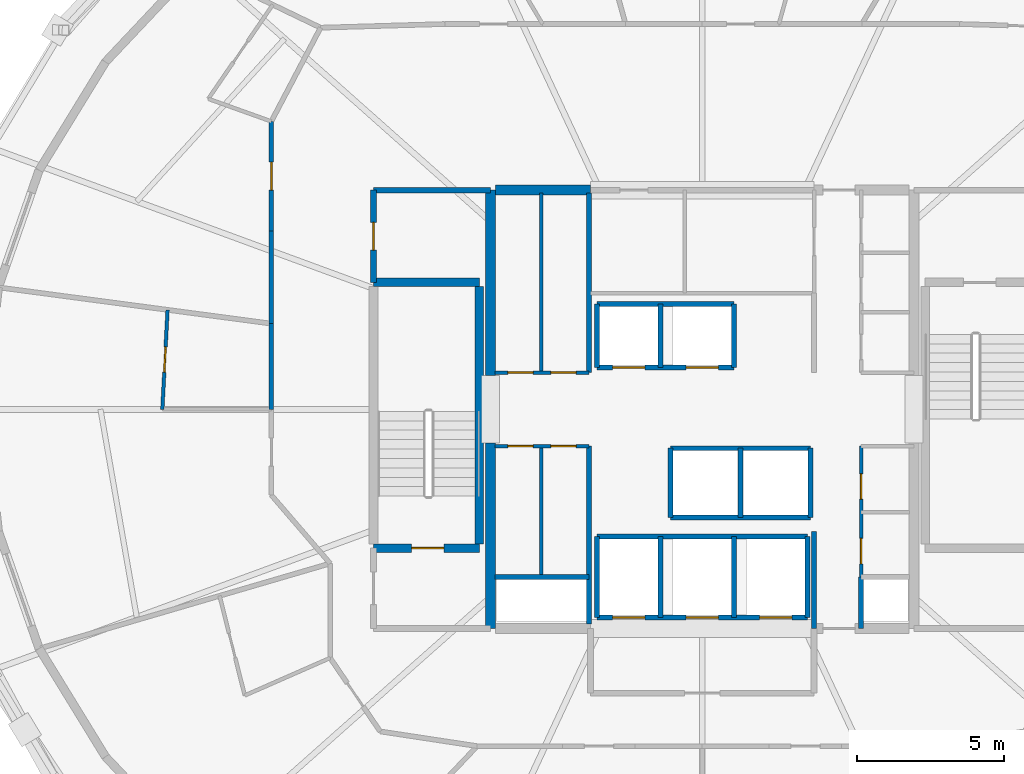
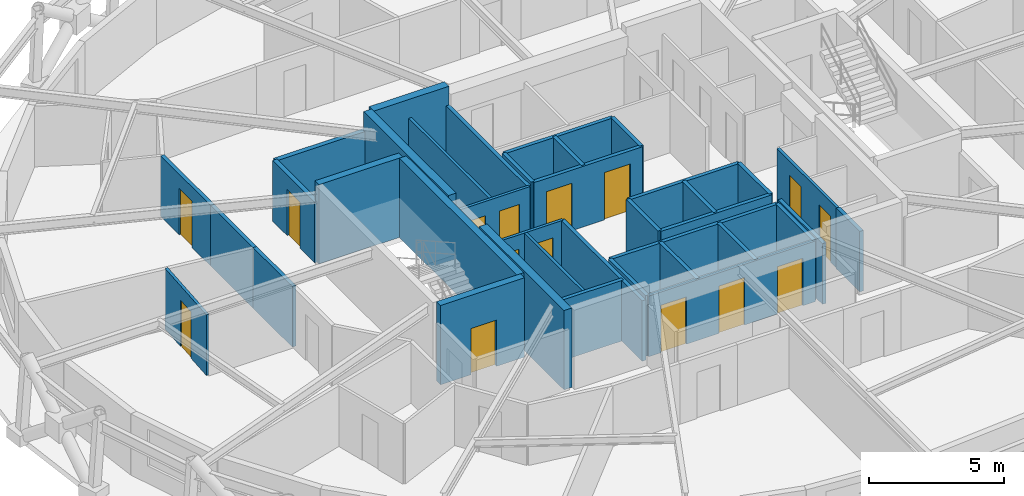
# One storey, part 10 of 14: 38 walls, 15 doors, 15 openings.
"""IFC4 building model written with IfcOpenShell, lengths in metres."""

from ifc_helpers import new_model, si_unit, direction, frame, frame_2d, origin, place, context, subcontext, project, spatial, rectangle, extrude, material, layer, layer_set, type_object, element, fill, save


model = new_model("IFC4")

# Units and contexts
model_context = context("Model", 3, precision=1e-05, world=origin(), true_north=direction((0.0, 1.0)))
body_context = subcontext(model_context, "Body", "Model", "MODEL_VIEW")
ifc_project = project(units=[si_unit("LENGTHUNIT", "METRE"), si_unit("AREAUNIT", "SQUARE_METRE"), si_unit("VOLUMEUNIT", "CUBIC_METRE"), si_unit("PLANEANGLEUNIT", "RADIAN"), si_unit("MASSUNIT", "GRAM", prefix="KILO")], contexts=[model_context])

# Site, building, storey
site_placement = place(None, origin())
site = spatial("IfcSite", under=ifc_project, at=site_placement, CompositionType="ELEMENT")
building_placement = place(site_placement, origin())
building = spatial("IfcBuilding", under=site, at=building_placement, Name="Veldorina Hangang Commons", CompositionType="ELEMENT")
storey_placement = place(building_placement, frame((0.0, 0.0, 200.0)))
storey = spatial("IfcBuildingStorey", under=building, at=storey_placement, Name="L52", CompositionType="ELEMENT", Elevation=200.0)

# Walls
ifc_material_1 = material(Name="Concrete C60/75", Category="concrete")
ifc_layer_1 = layer(ifc_material_1, 0.340087890625)
ifc_layer_set_1 = layer_set([ifc_layer_1], Name="Concrete C60/75")
wall_type_1 = type_object("IfcWallType", Name="CW-RC340-C60", PredefinedType="SHEAR", material=ifc_layer_set_1)
for number, where, z_axis, x_axis, name in (
    (1, (24.800048828125, 16.550048828125, 0.0), (0.0, 0.0, 1.0), (0.0, 1.0, 0.0), "L52 W south core shear wall"),
    (2, (24.800048828125, 25.14990234375, 0.0), (0.0, 0.0, 1.0), (0.0, 1.0, 0.0), "L52 W north core shear wall"),
):
    element("IfcWall", number, at=place(storey_placement, frame(where, z_axis=z_axis, x_axis=x_axis)), inside=storey, type_object=wall_type_1, Name=name, PredefinedType="SHEAR", context=body_context, shape_type="SweptSolid", body=[
        extrude(rectangle(XDim=6.300048828125, YDim=0.340087890625, at=frame_2d((3.14990234375, 0.0))), origin(), (0.0, 0.0, 1.0), 3.60009765625),
    ])
wall_1_placement = place(storey_placement, frame((24.969970703125, 31.449951171875, 0.0), z_axis=(0.0, 0.0, 1.0), x_axis=(1.0, 0.0, 0.0)))
element("IfcWall", 3, at=wall_1_placement, inside=storey, type_object=wall_type_1, Name="L52 north-west core shear wall", PredefinedType="SHEAR", context=body_context, shape_type="SweptSolid", body=[
    extrude(rectangle(XDim=3.22998046875, YDim=0.340087890625, at=frame_2d((1.614990234375, 0.0))), origin(), (0.0, 0.0, 1.0), 3.60009765625),
])
ifc_material_2 = material(Name="Concrete C50/60", Category="concrete")
ifc_layer_2 = layer(ifc_material_2, 0.300048828125)
ifc_layer_set_2 = layer_set([ifc_layer_2], Name="Concrete C50/60")
wall_type_2 = type_object("IfcWallType", Name="SW-STAIR-300", PredefinedType="SHEAR", material=ifc_layer_set_2)
wall_2_placement = place(storey_placement, frame((24.419921875, 19.429931640625, 0.0), z_axis=(0.0, 0.0, 1.0), x_axis=(0.0, 1.0, 0.0)))
element("IfcWall", 4, at=wall_2_placement, inside=storey, type_object=wall_type_2, Name="L52 ST1 inner stair shear wall", PredefinedType="SHEAR", context=body_context, shape_type="SweptSolid", body=[
    extrude(rectangle(XDim=8.739990234375, YDim=0.300048828125, at=frame_2d((4.3701171875, 0.0))), origin(), (0.0, 0.0, 1.0), 3.60009765625),
])

# Wall, opening, door
wall_3_placement = place(storey_placement, frame((20.820068359375, 19.280029296875, 0.0), z_axis=(0.0, 0.0, 1.0), x_axis=(1.0, 0.0, 0.0)))
wall_3 = element("IfcWall", 5, at=wall_3_placement, inside=storey, type_object=wall_type_2, Name="L52 ST1 south stair shear wall", PredefinedType="SHEAR", context=body_context, shape_type="SweptSolid", body=[
    extrude(rectangle(XDim=3.599853515625, YDim=0.300048828125, at=frame_2d((1.7998046875, 0.0))), origin(), (0.0, 0.0, 1.0), 3.60009765625),
])
opening_1_placement = place(wall_3_placement, frame((1.300048828125, 0.0, 0.0)))
opening_1 = element("IfcOpeningElement", 6, at=opening_1_placement, cuts=wall_3, Name="Opening D-08", PredefinedType="OPENING", context=body_context, shape_type="SweptSolid", body=[
    extrude(rectangle(XDim=1.10009765625, YDim=2.10009765625, at=frame_2d((0.550048828125, 1.050048828125))), frame((0.0, 0.16015625, 0.0), z_axis=(0.0, -1.0, 0.0), x_axis=(1.0, 0.0, 0.0)), (0.0, 0.0, 1.0), 0.320068359375),
])
ifc_material_3 = material(Name="Steel Fire-Rated Smoke Seal", Category="steel")
door_type_1 = type_object("IfcDoorType", Name="DR-FIRE-1100", OperationType="SINGLE_SWING_RIGHT", PredefinedType="DOOR", material=ifc_material_3)
door_1_placement = place(opening_1_placement, origin())
door_1 = element("IfcDoor", 7, at=door_1_placement, inside=storey, type_object=door_type_1, Name="L52 Special Escape Stair ST-1 door", OperationType="SINGLE_SWING_LEFT", OverallHeight=2.10009765625, OverallWidth=1.10009765625, PredefinedType="DOOR", context=body_context, shape_type="SweptSolid", body=[
    extrude(rectangle(XDim=1.10009765625, YDim=2.10009765625, at=frame_2d((0.550048828125, 1.050048828125))), frame((0.0, 0.02490234375, 0.0), z_axis=(0.0, -1.0, 0.0), x_axis=(1.0, 0.0, 0.0)), (0.0, 0.0, 1.0), 0.050048828125),
])
fill(opening_1, door_1)

# Walls
wall_4_placement = place(storey_placement, frame((20.820068359375, 28.320068359375, 0.0), z_axis=(0.0, 0.0, 1.0), x_axis=(1.0, 0.0, 0.0)))
element("IfcWall", 8, at=wall_4_placement, inside=storey, type_object=wall_type_2, Name="L52 ST1 north stair shear wall", PredefinedType="SHEAR", context=body_context, shape_type="SweptSolid", body=[
    extrude(rectangle(XDim=3.599853515625, YDim=0.300048828125, at=frame_2d((1.7998046875, 0.0))), origin(), (0.0, 0.0, 1.0), 3.60009765625),
])
ifc_material_4 = material(Name="Gypsum Fire-Rated Twin Stud Wall", Category="gypsum")
ifc_layer_3 = layer(ifc_material_4, 0.159912109375)
ifc_layer_set_3 = layer_set([ifc_layer_3], Name="Gypsum Fire-Rated Twin Stud Wall")
wall_type_3 = type_object("IfcWallType", Name="WL-FIRE-160", PredefinedType="SOLIDWALL", material=ifc_layer_set_3)
wall_5_placement = place(storey_placement, frame((35.800048828125, 16.550048828125, 0.0), z_axis=(0.0, 0.0, 1.0), x_axis=(0.0, 1.0, 0.0)))
element("IfcWall", 9, at=wall_5_placement, inside=storey, type_object=wall_type_3, Name="L52 Lift passage SW wall 009", PredefinedType="SOLIDWALL", context=body_context, shape_type="SweptSolid", body=[
    extrude(rectangle(XDim=3.300048828125, YDim=0.159912109375, at=frame_2d((1.64990234375, 0.0))), origin(), (0.0, 0.0, 1.0), 2.75),
])
wall_6_placement = place(storey_placement, frame((37.39990234375, 16.550048828125, 0.0), z_axis=(0.0, 0.0, 1.0), x_axis=(0.0, 1.0, 0.0)))
element("IfcWall", 10, at=wall_6_placement, inside=storey, type_object=wall_type_3, Name="L52 Lift passage SE stub 010", PredefinedType="SOLIDWALL", context=body_context, shape_type="SweptSolid", body=[
    extrude(rectangle(XDim=1.75, YDim=0.159912109375, at=frame_2d((0.875, 0.0))), origin(), (0.0, 0.0, 1.0), 2.75),
])

# Wall, openings, doors
wall_7_placement = place(storey_placement, frame((28.419921875, 25.419921875, 0.0), z_axis=(0.0, 0.0, 1.0), x_axis=(1.0, 0.0, 0.0)))
wall_7 = element("IfcWall", 11, at=wall_7_placement, inside=storey, type_object=wall_type_3, Name="L52 Mid-high front shaft wall 015", PredefinedType="SOLIDWALL", context=body_context, shape_type="SweptSolid", body=[
    extrude(rectangle(XDim=4.66015625, YDim=0.159912109375, at=frame_2d((2.330078125, 0.0))), origin(), (0.0, 0.0, 1.0), 2.75),
])
opening_2_placement = place(wall_7_placement, frame((0.530029296875, 0.0, 0.0)))
opening_2 = element("IfcOpeningElement", 12, at=opening_2_placement, cuts=wall_7, Name="Opening LD-01", PredefinedType="OPENING", context=body_context, shape_type="SweptSolid", body=[
    extrude(rectangle(XDim=1.10009765625, YDim=2.14990234375, at=frame_2d((0.550048828125, 1.074951171875))), frame((0.0, 0.08984375, 0.0), z_axis=(0.0, -1.0, 0.0), x_axis=(1.0, 0.0, 0.0)), (0.0, 0.0, 1.0), 0.179931640625),
])
opening_3_placement = place(wall_7_placement, frame((3.030029296875, 0.0, 0.0)))
opening_3 = element("IfcOpeningElement", 13, at=opening_3_placement, cuts=wall_7, Name="Opening LD-01", PredefinedType="OPENING", context=body_context, shape_type="SweptSolid", body=[
    extrude(rectangle(XDim=1.10009765625, YDim=2.14990234375, at=frame_2d((0.550048828125, 1.074951171875))), frame((0.0, 0.08984375, 0.0), z_axis=(0.0, -1.0, 0.0), x_axis=(1.0, 0.0, 0.0)), (0.0, 0.0, 1.0), 0.179931640625),
])
ifc_material_5 = material(Name="Stainless Steel Brushed Lift Door", Category="steel")
door_type_2 = type_object("IfcDoorType", Name="DR-LIFT-1100", OperationType="SLIDING_TO_LEFT", PredefinedType="DOOR", material=ifc_material_5)
door_2_placement = place(opening_2_placement, origin())
door_2 = element("IfcDoor", 14, at=door_2_placement, inside=storey, type_object=door_type_2, Name="L52 Lift PL-M1 landing door 006", OperationType="SLIDING_TO_RIGHT", OverallHeight=2.14990234375, OverallWidth=1.10009765625, PredefinedType="DOOR", context=body_context, shape_type="SweptSolid", body=[
    extrude(rectangle(XDim=1.10009765625, YDim=2.14990234375, at=frame_2d((0.550048828125, 1.074951171875))), frame((0.0, 0.02490234375, 0.0), z_axis=(0.0, -1.0, 0.0), x_axis=(1.0, 0.0, 0.0)), (0.0, 0.0, 1.0), 0.050048828125),
])
fill(opening_2, door_2)
door_3_placement = place(opening_3_placement, origin())
door_3 = element("IfcDoor", 15, at=door_3_placement, inside=storey, type_object=door_type_2, Name="L52 Lift PL-M2 landing door 007", OperationType="SLIDING_TO_RIGHT", OverallHeight=2.14990234375, OverallWidth=1.10009765625, PredefinedType="DOOR", context=body_context, shape_type="SweptSolid", body=[
    extrude(rectangle(XDim=1.10009765625, YDim=2.14990234375, at=frame_2d((0.550048828125, 1.074951171875))), frame((0.0, 0.02490234375, 0.0), z_axis=(0.0, -1.0, 0.0), x_axis=(1.0, 0.0, 0.0)), (0.0, 0.0, 1.0), 0.050048828125),
])
fill(opening_3, door_3)

# Walls
wall_8_placement = place(storey_placement, frame((28.419921875, 27.580078125, 0.0), z_axis=(0.0, 0.0, 1.0), x_axis=(1.0, 0.0, 0.0)))
element("IfcWall", 16, at=wall_8_placement, inside=storey, type_object=wall_type_3, Name="L52 Mid-high rear shaft wall 016", PredefinedType="SOLIDWALL", context=body_context, shape_type="SweptSolid", body=[
    extrude(rectangle(XDim=4.66015625, YDim=0.159912109375, at=frame_2d((2.330078125, 0.0))), origin(), (0.0, 0.0, 1.0), 2.75),
])
for number, where, z_axis, x_axis, name in (
    (17, (28.419921875, 25.419921875, 0.0), (0.0, 0.0, 1.0), (0.0, 1.0, 0.0), "L52 PL-M1 west shaft wall 017"),
    (18, (30.580078125, 25.419921875, 0.0), (0.0, 0.0, 1.0), (0.0, 1.0, 0.0), "L52 PL-M1 east shaft wall 018"),
    (19, (33.080078125, 25.419921875, 0.0), (0.0, 0.0, 1.0), (0.0, 1.0, 0.0), "L52 PL-M2 east shaft wall 019"),
):
    element("IfcWall", number, at=place(storey_placement, frame(where, z_axis=z_axis, x_axis=x_axis)), inside=storey, type_object=wall_type_3, Name=name, PredefinedType="SOLIDWALL", context=body_context, shape_type="SweptSolid", body=[
        extrude(rectangle(XDim=2.16015625, YDim=0.159912109375, at=frame_2d((1.080078125, 0.0))), origin(), (0.0, 0.0, 1.0), 2.75),
    ])
for number, where, z_axis, x_axis, name in (
    (20, (30.919921875, 22.679931640625, 0.0), (0.0, 0.0, 1.0), (1.0, 0.0, 0.0), "L52 Shuttle-high front shaft wall 020"),
    (21, (30.919921875, 20.320068359375, 0.0), (0.0, 0.0, 1.0), (1.0, 0.0, 0.0), "L52 Shuttle-high rear shaft wall 021"),
):
    element("IfcWall", number, at=place(storey_placement, frame(where, z_axis=z_axis, x_axis=x_axis)), inside=storey, type_object=wall_type_3, Name=name, PredefinedType="SOLIDWALL", context=body_context, shape_type="SweptSolid", body=[
        extrude(rectangle(XDim=4.760009765625, YDim=0.159912109375, at=frame_2d((2.3798828125, 0.0))), origin(), (0.0, 0.0, 1.0), 2.75),
    ])
for number, where, z_axis, x_axis, name in (
    (22, (30.919921875, 20.320068359375, 0.0), (0.0, 0.0, 1.0), (0.0, 1.0, 0.0), "L52 SL-1 west shaft wall 022"),
    (23, (33.300048828125, 20.320068359375, 0.0), (0.0, 0.0, 1.0), (0.0, 1.0, 0.0), "L52 SL-1 east shaft wall 023"),
    (24, (35.679931640625, 20.320068359375, 0.0), (0.0, 0.0, 1.0), (0.0, 1.0, 0.0), "L52 SL-2 east shaft wall 024"),
):
    element("IfcWall", number, at=place(storey_placement, frame(where, z_axis=z_axis, x_axis=x_axis)), inside=storey, type_object=wall_type_3, Name=name, PredefinedType="SOLIDWALL", context=body_context, shape_type="SweptSolid", body=[
        extrude(rectangle(XDim=2.35986328125, YDim=0.159912109375, at=frame_2d((1.179931640625, 0.0))), origin(), (0.0, 0.0, 1.0), 2.75),
    ])

# Wall, openings, doors
wall_9_placement = place(storey_placement, frame((28.419921875, 16.919921875, 0.0), z_axis=(0.0, 0.0, 1.0), x_axis=(1.0, 0.0, 0.0)))
wall_9 = element("IfcWall", 25, at=wall_9_placement, inside=storey, type_object=wall_type_3, Name="L52 Emergency front shaft wall 025", PredefinedType="SOLIDWALL", context=body_context, shape_type="SweptSolid", body=[
    extrude(rectangle(XDim=7.16015625, YDim=0.159912109375, at=frame_2d((3.580078125, 0.0))), origin(), (0.0, 0.0, 1.0), 2.75),
])
opening_4_placement = place(wall_9_placement, frame((0.530029296875, 0.0, 0.0)))
opening_4 = element("IfcOpeningElement", 26, at=opening_4_placement, cuts=wall_9, Name="Opening LD-03", PredefinedType="OPENING", context=body_context, shape_type="SweptSolid", body=[
    extrude(rectangle(XDim=1.10009765625, YDim=2.14990234375, at=frame_2d((0.550048828125, 1.074951171875))), frame((0.0, 0.08984375, 0.0), z_axis=(0.0, -1.0, 0.0), x_axis=(1.0, 0.0, 0.0)), (0.0, 0.0, 1.0), 0.179931640625),
])
opening_5_placement = place(wall_9_placement, frame((3.030029296875, 0.0, 0.0)))
opening_5 = element("IfcOpeningElement", 27, at=opening_5_placement, cuts=wall_9, Name="Opening LD-03", PredefinedType="OPENING", context=body_context, shape_type="SweptSolid", body=[
    extrude(rectangle(XDim=1.10009765625, YDim=2.14990234375, at=frame_2d((0.550048828125, 1.074951171875))), frame((0.0, 0.08984375, 0.0), z_axis=(0.0, -1.0, 0.0), x_axis=(1.0, 0.0, 0.0)), (0.0, 0.0, 1.0), 0.179931640625),
])
opening_6_placement = place(wall_9_placement, frame((5.530029296875, 0.0, 0.0)))
opening_6 = element("IfcOpeningElement", 28, at=opening_6_placement, cuts=wall_9, Name="Opening LD-03", PredefinedType="OPENING", context=body_context, shape_type="SweptSolid", body=[
    extrude(rectangle(XDim=1.10009765625, YDim=2.14990234375, at=frame_2d((0.550048828125, 1.074951171875))), frame((0.0, 0.08984375, 0.0), z_axis=(0.0, -1.0, 0.0), x_axis=(1.0, 0.0, 0.0)), (0.0, 0.0, 1.0), 0.179931640625),
])
ifc_material_6 = material(Name="Stainless Steel Firefighting Lift Door", Category="steel")
door_type_3 = type_object("IfcDoorType", Name="DR-LIFT-FF1100", OperationType="SLIDING_TO_RIGHT", PredefinedType="DOOR", material=ifc_material_6)
door_4_placement = place(opening_4_placement, origin())
door_4 = element("IfcDoor", 29, at=door_4_placement, inside=storey, type_object=door_type_3, Name="L52 Emergency lift FFL-1 landing door 008", OperationType="SLIDING_TO_RIGHT", OverallHeight=2.14990234375, OverallWidth=1.10009765625, PredefinedType="DOOR", context=body_context, shape_type="SweptSolid", body=[
    extrude(rectangle(XDim=1.10009765625, YDim=2.14990234375, at=frame_2d((0.550048828125, 1.074951171875))), frame((0.0, 0.02490234375, 0.0), z_axis=(0.0, -1.0, 0.0), x_axis=(1.0, 0.0, 0.0)), (0.0, 0.0, 1.0), 0.050048828125),
])
fill(opening_4, door_4)
door_5_placement = place(opening_5_placement, origin())
door_5 = element("IfcDoor", 30, at=door_5_placement, inside=storey, type_object=door_type_3, Name="L52 Emergency lift FFL-2 landing door 009", OperationType="SLIDING_TO_RIGHT", OverallHeight=2.14990234375, OverallWidth=1.10009765625, PredefinedType="DOOR", context=body_context, shape_type="SweptSolid", body=[
    extrude(rectangle(XDim=1.10009765625, YDim=2.14990234375, at=frame_2d((0.550048828125, 1.074951171875))), frame((0.0, 0.02490234375, 0.0), z_axis=(0.0, -1.0, 0.0), x_axis=(1.0, 0.0, 0.0)), (0.0, 0.0, 1.0), 0.050048828125),
])
fill(opening_5, door_5)
door_6_placement = place(opening_6_placement, origin())
door_6 = element("IfcDoor", 31, at=door_6_placement, inside=storey, type_object=door_type_3, Name="L52 Emergency lift EVL-1 landing door 010", OperationType="SLIDING_TO_RIGHT", OverallHeight=2.14990234375, OverallWidth=1.10009765625, PredefinedType="DOOR", context=body_context, shape_type="SweptSolid", body=[
    extrude(rectangle(XDim=1.10009765625, YDim=2.14990234375, at=frame_2d((0.550048828125, 1.074951171875))), frame((0.0, 0.02490234375, 0.0), z_axis=(0.0, -1.0, 0.0), x_axis=(1.0, 0.0, 0.0)), (0.0, 0.0, 1.0), 0.050048828125),
])
fill(opening_6, door_6)

# Walls
wall_10_placement = place(storey_placement, frame((28.419921875, 19.679931640625, 0.0), z_axis=(0.0, 0.0, 1.0), x_axis=(1.0, 0.0, 0.0)))
element("IfcWall", 32, at=wall_10_placement, inside=storey, type_object=wall_type_3, Name="L52 Emergency rear shaft wall 026", PredefinedType="SOLIDWALL", context=body_context, shape_type="SweptSolid", body=[
    extrude(rectangle(XDim=7.16015625, YDim=0.159912109375, at=frame_2d((3.580078125, 0.0))), origin(), (0.0, 0.0, 1.0), 2.75),
])
for number, where, z_axis, x_axis, name in (
    (33, (28.419921875, 16.919921875, 0.0), (0.0, 0.0, 1.0), (0.0, 1.0, 0.0), "L52 FFL-1 west shaft wall 027"),
    (34, (30.580078125, 16.919921875, 0.0), (0.0, 0.0, 1.0), (0.0, 1.0, 0.0), "L52 FFL-1 east shaft wall 028"),
    (35, (33.080078125, 16.919921875, 0.0), (0.0, 0.0, 1.0), (0.0, 1.0, 0.0), "L52 FFL-2 east shaft wall 029"),
    (36, (35.580078125, 16.919921875, 0.0), (0.0, 0.0, 1.0), (0.0, 1.0, 0.0), "L52 EVL-1 east shaft wall 030"),
):
    element("IfcWall", number, at=place(storey_placement, frame(where, z_axis=z_axis, x_axis=x_axis)), inside=storey, type_object=wall_type_3, Name=name, PredefinedType="SOLIDWALL", context=body_context, shape_type="SweptSolid", body=[
        extrude(rectangle(XDim=2.760009765625, YDim=0.159912109375, at=frame_2d((1.3798828125, 0.0))), origin(), (0.0, 0.0, 1.0), 2.75),
    ])
wall_11_placement = place(storey_placement, frame((24.949951171875, 18.300048828125, 0.0), z_axis=(0.0, 0.0, 1.0), x_axis=(1.0, 0.0, 0.0)))
element("IfcWall", 37, at=wall_11_placement, inside=storey, type_object=wall_type_3, Name="L52 Electrical riser wall 035", PredefinedType="SOLIDWALL", context=body_context, shape_type="SweptSolid", body=[
    extrude(rectangle(XDim=3.199951171875, YDim=0.159912109375, at=frame_2d((1.60009765625, 0.0))), origin(), (0.0, 0.0, 1.0), 2.75),
])
wall_12_placement = place(storey_placement, frame((28.14990234375, 16.699951171875, 0.0), z_axis=(0.0, 0.0, 1.0), x_axis=(0.0, 1.0, 0.0)))
element("IfcWall", 38, at=wall_12_placement, inside=storey, type_object=wall_type_3, Name="L52 SW core inner wall 036", PredefinedType="SOLIDWALL", context=body_context, shape_type="SweptSolid", body=[
    extrude(rectangle(XDim=6.050048828125, YDim=0.159912109375, at=frame_2d((3.02490234375, 0.0))), origin(), (0.0, 0.0, 1.0), 2.75),
])
wall_13_placement = place(storey_placement, frame((28.14990234375, 25.25, 0.0), z_axis=(0.0, 0.0, 1.0), x_axis=(0.0, 1.0, 0.0)))
element("IfcWall", 39, at=wall_13_placement, inside=storey, type_object=wall_type_3, Name="L52 NW core inner wall 038", PredefinedType="SOLIDWALL", context=body_context, shape_type="SweptSolid", body=[
    extrude(rectangle(XDim=6.10009765625, YDim=0.159912109375, at=frame_2d((3.050048828125, 0.0))), origin(), (0.0, 0.0, 1.0), 2.75),
])

# Wall, opening, door
wall_14_placement = place(storey_placement, frame((17.35009765625, 33.788818359375, 0.0), z_axis=(0.0, 0.0, 1.0), x_axis=(0.0, -1.0, 0.0)))
wall_14 = element("IfcWall", 40, at=wall_14_placement, inside=storey, type_object=wall_type_3, Name="L52 U-corridor outer wall 13 063", PredefinedType="SOLIDWALL", context=body_context, shape_type="SweptSolid", body=[
    extrude(rectangle(XDim=3.720703125, YDim=0.159912109375, at=frame_2d((1.8603515625, 0.0))), origin(), (0.0, 0.0, 1.0), 2.75),
])
opening_7_placement = place(wall_14_placement, frame((1.38525390625, 0.0, 0.0)))
opening_7 = element("IfcOpeningElement", 41, at=opening_7_placement, cuts=wall_14, Name="Opening D-03", PredefinedType="OPENING", context=body_context, shape_type="SweptSolid", body=[
    extrude(rectangle(XDim=0.949951171875, YDim=2.10009765625, at=frame_2d((0.47509765625, 1.050048828125))), frame((0.0, 0.08984375, 0.0), z_axis=(0.0, -1.0, 0.0), x_axis=(1.0, 0.0, 0.0)), (0.0, 0.0, 1.0), 0.179931640625),
])
ifc_material_7 = material(Name="Timber Fire-Rated Entrance Core", Category="wood")
door_type_4 = type_object("IfcDoorType", Name="DR-UNIT-950", OperationType="SINGLE_SWING_RIGHT", PredefinedType="DOOR", material=ifc_material_7)
door_7_placement = place(opening_7_placement, origin())
door_7 = element("IfcDoor", 42, at=door_7_placement, inside=storey, type_object=door_type_4, Name="L52 Studio 6 entrance door 033", OperationType="SINGLE_SWING_LEFT", OverallHeight=2.10009765625, OverallWidth=0.949951171875, PredefinedType="DOOR", context=body_context, shape_type="SweptSolid", body=[
    extrude(rectangle(XDim=0.949951171875, YDim=2.10009765625, at=frame_2d((0.47509765625, 1.050048828125))), frame((0.0, 0.02490234375, 0.0), z_axis=(0.0, -1.0, 0.0), x_axis=(1.0, 0.0, 0.0)), (0.0, 0.0, 1.0), 0.050048828125),
])
fill(opening_7, door_7)

# Walls
wall_15_placement = place(storey_placement, frame((17.35009765625, 30.068115234375, 0.0), z_axis=(0.0, 0.0, 1.0), x_axis=(0.0, -1.0, 0.0)))
element("IfcWall", 43, at=wall_15_placement, inside=storey, type_object=wall_type_3, Name="L52 U-corridor outer wall 14 064", PredefinedType="SOLIDWALL", context=body_context, shape_type="SweptSolid", body=[
    extrude(rectangle(XDim=3.154052734375, YDim=0.159912109375, at=frame_2d((1.5771484375, 0.0))), origin(), (0.0, 0.0, 1.0), 2.75),
])
wall_16_placement = place(storey_placement, frame((17.35009765625, 26.9140625, 0.0), z_axis=(0.0, 0.0, 1.0), x_axis=(0.0, -1.0, 0.0)))
element("IfcWall", 44, at=wall_16_placement, inside=storey, type_object=wall_type_3, Name="L52 U-corridor outer wall 15 065", PredefinedType="SOLIDWALL", context=body_context, shape_type="SweptSolid", body=[
    extrude(rectangle(XDim=2.9140625, YDim=0.159912109375, at=frame_2d((1.45703125, 0.0))), origin(), (0.0, 0.0, 1.0), 2.75),
])

# Wall, opening, door
ifc_material_8 = material(Name="Concrete Blockwork Fire Wall C30/37", Category="masonry")
ifc_layer_4 = layer(ifc_material_8, 0.199951171875)
ifc_layer_set_4 = layer_set([ifc_layer_4], Name="Concrete Blockwork Fire Wall C30/37")
wall_type_4 = type_object("IfcWallType", Name="WL-FIRE-200", PredefinedType="SOLIDWALL", material=ifc_layer_set_4)
wall_17_placement = place(storey_placement, frame((20.820068359375, 28.320068359375, 0.0), z_axis=(0.0, 0.0, 1.0), x_axis=(0.0, 1.0, 0.0)))
wall_17 = element("IfcWall", 45, at=wall_17_placement, inside=storey, type_object=wall_type_4, Name="L52 NW core room outer wall 005", PredefinedType="SOLIDWALL", context=body_context, shape_type="SweptSolid", body=[
    extrude(rectangle(XDim=3.1298828125, YDim=0.199951171875, at=frame_2d((1.56494140625, 0.0))), origin(), (0.0, 0.0, 1.0), 2.75),
])
opening_8_placement = place(wall_17_placement, frame((1.090087890625, 0.0, 0.0)))
opening_8 = element("IfcOpeningElement", 46, at=opening_8_placement, cuts=wall_17, Name="Opening D-04", PredefinedType="OPENING", context=body_context, shape_type="SweptSolid", body=[
    extrude(rectangle(XDim=0.949951171875, YDim=2.10009765625, at=frame_2d((0.47509765625, 1.050048828125))), frame((0.0, 0.10986328125, 0.0), z_axis=(0.0, -1.0, 0.0), x_axis=(1.0, 0.0, 0.0)), (0.0, 0.0, 1.0), 0.219970703125),
])
ifc_material_9 = material(Name="Timber Accessible Flush Leaf", Category="wood")
door_type_5 = type_object("IfcDoorType", Name="DR-ACC-950", OperationType="SINGLE_SWING_LEFT", PredefinedType="DOOR", material=ifc_material_9)
door_8_placement = place(opening_8_placement, origin())
door_8 = element("IfcDoor", 47, at=door_8_placement, inside=storey, type_object=door_type_5, Name="L52 NW core WC door 003", OperationType="SINGLE_SWING_LEFT", OverallHeight=2.10009765625, OverallWidth=0.949951171875, PredefinedType="DOOR", context=body_context, shape_type="SweptSolid", body=[
    extrude(rectangle(XDim=0.949951171875, YDim=2.10009765625, at=frame_2d((0.47509765625, 1.050048828125))), frame((0.0, 0.02490234375, 0.0), z_axis=(0.0, -1.0, 0.0), x_axis=(1.0, 0.0, 0.0)), (0.0, 0.0, 1.0), 0.050048828125),
])
fill(opening_8, door_8)

# Wall
wall_18_placement = place(storey_placement, frame((20.820068359375, 31.449951171875, 0.0), z_axis=(0.0, 0.0, 1.0), x_axis=(1.0, 0.0, 0.0)))
element("IfcWall", 48, at=wall_18_placement, inside=storey, type_object=wall_type_4, Name="L52 NW core room north wall 006", PredefinedType="SOLIDWALL", context=body_context, shape_type="SweptSolid", body=[
    extrude(rectangle(XDim=3.97998046875, YDim=0.199951171875, at=frame_2d((1.989990234375, 0.0))), origin(), (0.0, 0.0, 1.0), 2.75),
])

# Wall, openings, doors
ifc_material_10 = material(Name="Gypsum Acoustic Stud Partition", Category="gypsum")
ifc_layer_5 = layer(ifc_material_10, 0.1201171875)
ifc_layer_set_5 = layer_set([ifc_layer_5], Name="Gypsum Acoustic Stud Partition")
wall_type_5 = type_object("IfcWallType", Name="WL-PART-120", PredefinedType="PARTITIONING", material=ifc_layer_set_5)
wall_19_placement = place(storey_placement, frame((24.949951171875, 25.25, 0.0), z_axis=(0.0, 0.0, 1.0), x_axis=(1.0, 0.0, 0.0)))
wall_19 = element("IfcWall", 49, at=wall_19_placement, inside=storey, type_object=wall_type_5, Name="L52 NW service south wall 039", PredefinedType="PARTITIONING", context=body_context, shape_type="SweptSolid", body=[
    extrude(rectangle(XDim=3.199951171875, YDim=0.1201171875, at=frame_2d((1.60009765625, 0.0))), origin(), (0.0, 0.0, 1.0), 2.75),
])
opening_9_placement = place(wall_19_placement, frame((0.43994140625, 0.0, 0.0)))
opening_9 = element("IfcOpeningElement", 50, at=opening_9_placement, cuts=wall_19, Name="Opening D-01", PredefinedType="OPENING", context=body_context, shape_type="SweptSolid", body=[
    extrude(rectangle(XDim=0.860107421875, YDim=2.10009765625, at=frame_2d((0.43017578125, 1.050048828125))), frame((0.0, 0.070068359375, 0.0), z_axis=(0.0, -1.0, 0.0), x_axis=(1.0, 0.0, 0.0)), (0.0, 0.0, 1.0), 0.14013671875),
])
opening_10_placement = place(wall_19_placement, frame((1.89990234375, 0.0, 0.0)))
opening_10 = element("IfcOpeningElement", 51, at=opening_10_placement, cuts=wall_19, Name="Opening D-01", PredefinedType="OPENING", context=body_context, shape_type="SweptSolid", body=[
    extrude(rectangle(XDim=0.860107421875, YDim=2.10009765625, at=frame_2d((0.43017578125, 1.050048828125))), frame((0.0, 0.070068359375, 0.0), z_axis=(0.0, -1.0, 0.0), x_axis=(1.0, 0.0, 0.0)), (0.0, 0.0, 1.0), 0.14013671875),
])
ifc_material_11 = material(Name="Timber Moisture-Resistant Core", Category="wood")
door_type_6 = type_object("IfcDoorType", Name="DR-WET-860", OperationType="SINGLE_SWING_LEFT", PredefinedType="DOOR", material=ifc_material_11)
door_9_placement = place(opening_9_placement, origin())
door_9 = element("IfcDoor", 52, at=door_9_placement, inside=storey, type_object=door_type_6, Name="L52 Linen west door 013", OperationType="SINGLE_SWING_LEFT", OverallHeight=2.10009765625, OverallWidth=0.860107421875, PredefinedType="DOOR", context=body_context, shape_type="SweptSolid", body=[
    extrude(rectangle(XDim=0.860107421875, YDim=2.10009765625, at=frame_2d((0.43017578125, 1.050048828125))), frame((0.0, 0.02490234375, 0.0), z_axis=(0.0, -1.0, 0.0), x_axis=(1.0, 0.0, 0.0)), (0.0, 0.0, 1.0), 0.050048828125),
])
fill(opening_9, door_9)
door_10_placement = place(opening_10_placement, origin())
door_10 = element("IfcDoor", 53, at=door_10_placement, inside=storey, type_object=door_type_6, Name="L52 Data closet door 014", OperationType="SINGLE_SWING_RIGHT", OverallHeight=2.10009765625, OverallWidth=0.860107421875, PredefinedType="DOOR", context=body_context, shape_type="SweptSolid", body=[
    extrude(rectangle(XDim=0.860107421875, YDim=2.10009765625, at=frame_2d((0.43017578125, 1.050048828125))), frame((0.0, 0.02490234375, 0.0), z_axis=(0.0, -1.0, 0.0), x_axis=(1.0, 0.0, 0.0)), (0.0, 0.0, 1.0), 0.050048828125),
])
fill(opening_10, door_10)

wall_20_placement = place(storey_placement, frame((24.949951171875, 22.75, 0.0), z_axis=(0.0, 0.0, 1.0), x_axis=(1.0, 0.0, 0.0)))
wall_20 = element("IfcWall", 54, at=wall_20_placement, inside=storey, type_object=wall_type_5, Name="L52 SW service north wall 040", PredefinedType="PARTITIONING", context=body_context, shape_type="SweptSolid", body=[
    extrude(rectangle(XDim=3.199951171875, YDim=0.1201171875, at=frame_2d((1.60009765625, 0.0))), origin(), (0.0, 0.0, 1.0), 2.75),
])
opening_11_placement = place(wall_20_placement, frame((0.43994140625, 0.0, 0.0)))
opening_11 = element("IfcOpeningElement", 55, at=opening_11_placement, cuts=wall_20, Name="Opening D-01", PredefinedType="OPENING", context=body_context, shape_type="SweptSolid", body=[
    extrude(rectangle(XDim=0.860107421875, YDim=2.10009765625, at=frame_2d((0.43017578125, 1.050048828125))), frame((0.0, 0.070068359375, 0.0), z_axis=(0.0, -1.0, 0.0), x_axis=(1.0, 0.0, 0.0)), (0.0, 0.0, 1.0), 0.14013671875),
])
opening_12_placement = place(wall_20_placement, frame((1.89990234375, 0.0, 0.0)))
opening_12 = element("IfcOpeningElement", 56, at=opening_12_placement, cuts=wall_20, Name="Opening D-01", PredefinedType="OPENING", context=body_context, shape_type="SweptSolid", body=[
    extrude(rectangle(XDim=0.860107421875, YDim=2.10009765625, at=frame_2d((0.43017578125, 1.050048828125))), frame((0.0, 0.070068359375, 0.0), z_axis=(0.0, -1.0, 0.0), x_axis=(1.0, 0.0, 0.0)), (0.0, 0.0, 1.0), 0.14013671875),
])
door_11_placement = place(opening_11_placement, origin())
door_11 = element("IfcDoor", 57, at=door_11_placement, inside=storey, type_object=door_type_6, Name="L52 Cleaners door 015", OperationType="SINGLE_SWING_LEFT", OverallHeight=2.10009765625, OverallWidth=0.860107421875, PredefinedType="DOOR", context=body_context, shape_type="SweptSolid", body=[
    extrude(rectangle(XDim=0.860107421875, YDim=2.10009765625, at=frame_2d((0.43017578125, 1.050048828125))), frame((0.0, 0.02490234375, 0.0), z_axis=(0.0, -1.0, 0.0), x_axis=(1.0, 0.0, 0.0)), (0.0, 0.0, 1.0), 0.050048828125),
])
fill(opening_11, door_11)
door_12_placement = place(opening_12_placement, origin())
door_12 = element("IfcDoor", 58, at=door_12_placement, inside=storey, type_object=door_type_6, Name="L52 Metering door 016", OperationType="SINGLE_SWING_RIGHT", OverallHeight=2.10009765625, OverallWidth=0.860107421875, PredefinedType="DOOR", context=body_context, shape_type="SweptSolid", body=[
    extrude(rectangle(XDim=0.860107421875, YDim=2.10009765625, at=frame_2d((0.43017578125, 1.050048828125))), frame((0.0, 0.02490234375, 0.0), z_axis=(0.0, -1.0, 0.0), x_axis=(1.0, 0.0, 0.0)), (0.0, 0.0, 1.0), 0.050048828125),
])
fill(opening_12, door_12)

wall_21_placement = place(storey_placement, frame((37.39990234375, 18.300048828125, 0.0), z_axis=(0.0, 0.0, 1.0), x_axis=(0.0, 1.0, 0.0)))
wall_21 = element("IfcWall", 59, at=wall_21_placement, inside=storey, type_object=wall_type_5, Name="L52 SE strip lobby wall 043", PredefinedType="PARTITIONING", context=body_context, shape_type="SweptSolid", body=[
    extrude(rectangle(XDim=4.449951171875, YDim=0.1201171875, at=frame_2d((2.22509765625, 0.0))), origin(), (0.0, 0.0, 1.0), 2.75),
])
opening_13_placement = place(wall_21_placement, frame((0.449951171875, 0.0, 0.0)))
opening_13 = element("IfcOpeningElement", 60, at=opening_13_placement, cuts=wall_21, Name="Opening D-01", PredefinedType="OPENING", context=body_context, shape_type="SweptSolid", body=[
    extrude(rectangle(XDim=0.860107421875, YDim=2.10009765625, at=frame_2d((0.43017578125, 1.050048828125))), frame((0.0, 0.070068359375, 0.0), z_axis=(0.0, -1.0, 0.0), x_axis=(1.0, 0.0, 0.0)), (0.0, 0.0, 1.0), 0.14013671875),
])
opening_14_placement = place(wall_21_placement, frame((2.64990234375, 0.0, 0.0)))
opening_14 = element("IfcOpeningElement", 61, at=opening_14_placement, cuts=wall_21, Name="Opening D-01", PredefinedType="OPENING", context=body_context, shape_type="SweptSolid", body=[
    extrude(rectangle(XDim=0.860107421875, YDim=2.10009765625, at=frame_2d((0.43017578125, 1.050048828125))), frame((0.0, 0.070068359375, 0.0), z_axis=(0.0, -1.0, 0.0), x_axis=(1.0, 0.0, 0.0)), (0.0, 0.0, 1.0), 0.14013671875),
])
door_13_placement = place(opening_13_placement, origin())
door_13 = element("IfcDoor", 62, at=door_13_placement, inside=storey, type_object=door_type_6, Name="L52 Janitor sink door 020", OperationType="SINGLE_SWING_RIGHT", OverallHeight=2.10009765625, OverallWidth=0.860107421875, PredefinedType="DOOR", context=body_context, shape_type="SweptSolid", body=[
    extrude(rectangle(XDim=0.860107421875, YDim=2.10009765625, at=frame_2d((0.43017578125, 1.050048828125))), frame((0.0, 0.02490234375, 0.0), z_axis=(0.0, -1.0, 0.0), x_axis=(1.0, 0.0, 0.0)), (0.0, 0.0, 1.0), 0.050048828125),
])
fill(opening_13, door_13)
door_14_placement = place(opening_14_placement, origin())
door_14 = element("IfcDoor", 63, at=door_14_placement, inside=storey, type_object=door_type_6, Name="L52 Fire panel door 021", OperationType="SINGLE_SWING_LEFT", OverallHeight=2.10009765625, OverallWidth=0.860107421875, PredefinedType="DOOR", context=body_context, shape_type="SweptSolid", body=[
    extrude(rectangle(XDim=0.860107421875, YDim=2.10009765625, at=frame_2d((0.43017578125, 1.050048828125))), frame((0.0, 0.02490234375, 0.0), z_axis=(0.0, -1.0, 0.0), x_axis=(1.0, 0.0, 0.0)), (0.0, 0.0, 1.0), 0.050048828125),
])
fill(opening_14, door_14)

# Walls
wall_22_placement = place(storey_placement, frame((26.530029296875, 25.25, 0.0), z_axis=(0.0, 0.0, 1.0), x_axis=(0.0, 1.0, 0.0)))
element("IfcWall", 64, at=wall_22_placement, inside=storey, type_object=wall_type_5, Name="L52 NW vertical split 045", PredefinedType="PARTITIONING", context=body_context, shape_type="SweptSolid", body=[
    extrude(rectangle(XDim=6.10009765625, YDim=0.1201171875, at=frame_2d((3.050048828125, 0.0))), origin(), (0.0, 0.0, 1.0), 2.75),
])
wall_23_placement = place(storey_placement, frame((26.530029296875, 18.300048828125, 0.0), z_axis=(0.0, 0.0, 1.0), x_axis=(0.0, 1.0, 0.0)))
element("IfcWall", 65, at=wall_23_placement, inside=storey, type_object=wall_type_5, Name="L52 SW vertical split 046", PredefinedType="PARTITIONING", context=body_context, shape_type="SweptSolid", body=[
    extrude(rectangle(XDim=4.449951171875, YDim=0.1201171875, at=frame_2d((2.22509765625, 0.0))), origin(), (0.0, 0.0, 1.0), 2.75),
])

# Wall, opening, door
wall_24_placement = place(storey_placement, frame((13.822998046875, 27.382568359375, 0.0), z_axis=(0.0, 0.0, 1.0), x_axis=(-0.052615578061, -0.99861484114, 0.0)))
wall_24 = element("IfcWall", 66, at=wall_24_placement, inside=storey, type_object=wall_type_5, Name="L52 Studio 7 bath front wall 104", PredefinedType="PARTITIONING", context=body_context, shape_type="SweptSolid", body=[
    extrude(rectangle(XDim=3.38720703125, YDim=0.1201171875, at=frame_2d((1.693603515625, 0.0))), origin(), (0.0, 0.0, 1.0), 2.75),
])
opening_15_placement = place(wall_24_placement, frame((1.263671875, 0.0, 0.0)))
opening_15 = element("IfcOpeningElement", 67, at=opening_15_placement, cuts=wall_24, Name="Opening D-01", PredefinedType="OPENING", context=body_context, shape_type="SweptSolid", body=[
    extrude(rectangle(XDim=0.860107421875, YDim=2.10009765625, at=frame_2d((0.43017578125, 1.050048828125))), frame((0.0, 0.070068359375, 0.0), z_axis=(0.0, -1.0, 0.0), x_axis=(1.0, 0.0, 0.0)), (0.0, 0.0, 1.0), 0.14013671875),
])
door_15_placement = place(opening_15_placement, origin())
door_15 = element("IfcDoor", 68, at=door_15_placement, inside=storey, type_object=door_type_6, Name="L52 Studio 7 bathroom door 034", OperationType="SINGLE_SWING_RIGHT", OverallHeight=2.10009765625, OverallWidth=0.860107421875, PredefinedType="DOOR", context=body_context, shape_type="SweptSolid", body=[
    extrude(rectangle(XDim=0.860107421875, YDim=2.10009765625, at=frame_2d((0.43017578125, 1.050048828125))), frame((0.0, 0.02490234375, 0.0), z_axis=(0.0, -1.0, 0.0), x_axis=(1.0, 0.0, 0.0)), (0.0, 0.0, 1.0), 0.050048828125),
])
fill(opening_15, door_15)

save(model, "model.ifc")
